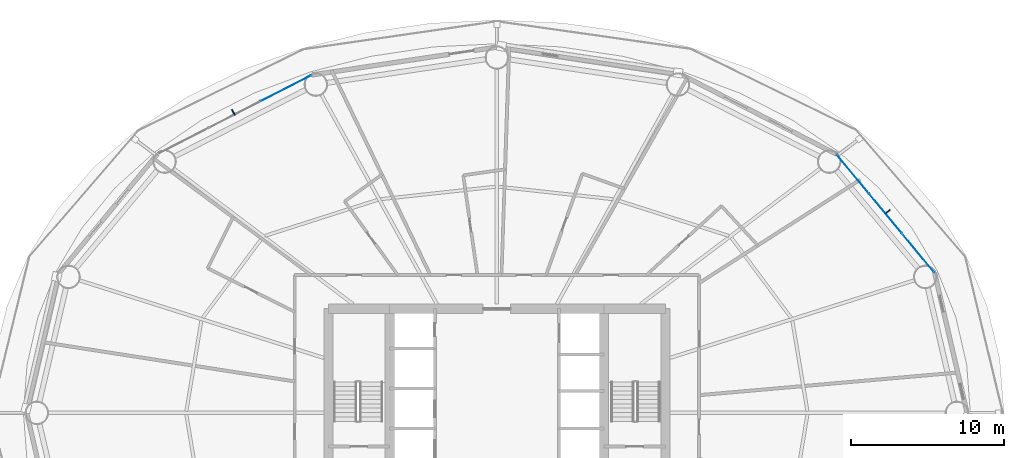
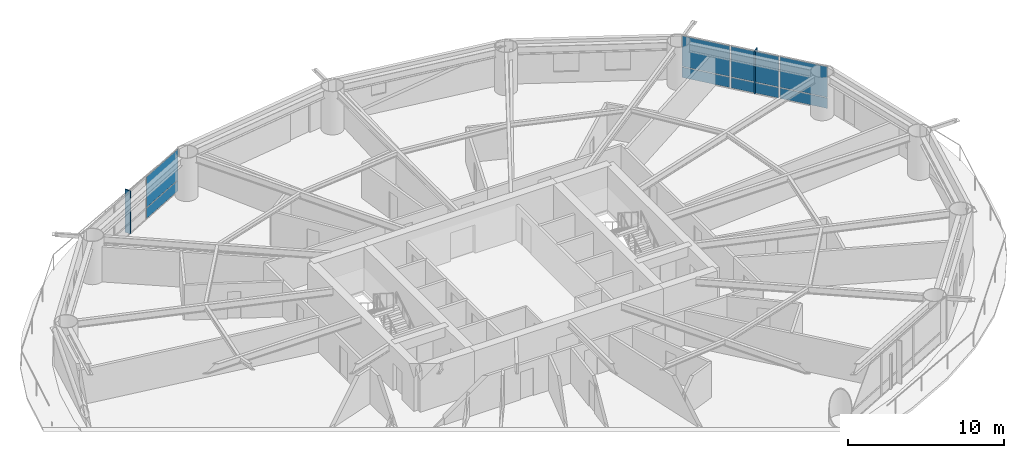
# One storey, part 18 of 26: 10 plates, 2 elements without a shape of their own.
"""IFC4 building model written with IfcOpenShell, lengths in metres."""

from ifc_helpers import new_model, si_unit, direction, frame, origin, origin_2d, place, context, subcontext, project, spatial, rectangle, extrude, material, layer, layer_set, type_object, element, aggregate, save


model = new_model("IFC4")

# Units and contexts
model_context = context("Model", 3, precision=1e-05, world=origin(), true_north=direction((0.0, 1.0)))
body_context = subcontext(model_context, "Body", "Model", "MODEL_VIEW")
ifc_project = project(units=[si_unit("LENGTHUNIT", "METRE"), si_unit("AREAUNIT", "SQUARE_METRE"), si_unit("VOLUMEUNIT", "CUBIC_METRE"), si_unit("PLANEANGLEUNIT", "RADIAN"), si_unit("MASSUNIT", "GRAM", prefix="KILO")], contexts=[model_context])

# Site, building, storey
site_placement = place(None, origin())
site = spatial("IfcSite", under=ifc_project, at=site_placement, CompositionType="ELEMENT")
building_placement = place(site_placement, origin())
building = spatial("IfcBuilding", under=site, at=building_placement, Name="Sarneth Arch Tower", CompositionType="ELEMENT")
storey_placement = place(building_placement, frame((0.0, 0.0, 35.39990234375)))
storey = spatial("IfcBuildingStorey", under=building, at=storey_placement, Name="L07", CompositionType="ELEMENT", Elevation=35.39990234375)

# Curtain wall, plates
ifc_material_1 = material(Name="Anodised aluminium Type AA25 and solar-control low-e laminated IGU", Category="aluminium")
ifc_layer_1 = layer(ifc_material_1, 0.159912109375)
ifc_layer_set_1 = layer_set([ifc_layer_1], Name="Anodised aluminium Type AA25 and solar-control low-e laminated IGU")
curtain_wall_type = type_object("IfcCurtainWallType", Name="CW-HOTEL-LOW", PredefinedType="NOTDEFINED", material=ifc_layer_set_1)
curtain_wall_1_placement = place(storey_placement, origin())
curtain_wall_1 = element("IfcCurtainWall", 1, at=curtain_wall_1_placement, inside=storey, type_object=curtain_wall_type, Name="L07 Unitised curtain wall facet 02", PredefinedType="NOTDEFINED")
ifc_material_2 = material(Name="Solar-control low-e laminated IGU", Category="glass")
ifc_layer_2 = layer(ifc_material_2, 0.028076171875)
ifc_layer_set_2 = layer_set([ifc_layer_2], Name="Solar-control low-e laminated IGU")
plate_type_1 = type_object("IfcPlateType", Name="CW-PANEL", PredefinedType="CURTAIN_PANEL", material=ifc_layer_set_2)
plate_1_placement = place(storey_placement, frame((75.503662109375, 52.441162109375, 0.06005859375), z_axis=(0.0, 0.0, 1.0), x_axis=(-0.637291340827, 0.770622960278, 0.0)))
plate_1 = element("IfcPlate", 2, at=plate_1_placement, type_object=plate_type_1, Name="Curtain wall glazed vision pane CW-L07-F02/P00-00", PredefinedType="CURTAIN_PANEL", context=body_context, shape_type="SweptSolid", body=[
    extrude(rectangle(XDim=3.260986328125, YDim=0.028076171875, at=origin_2d()), origin(), (0.0, 0.0, 1.0), 0.81005859375),
])
plate_2_placement = place(storey_placement, frame((75.503662109375, 52.441162109375, 0.93017578125), z_axis=(0.0, 0.0, 1.0), x_axis=(-0.637291340827, 0.770622960278, 0.0)))
plate_2 = element("IfcPlate", 3, at=plate_2_placement, type_object=plate_type_1, Name="Curtain wall glazed vision pane CW-L07-F02/P00-01", PredefinedType="CURTAIN_PANEL", context=body_context, shape_type="SweptSolid", body=[
    extrude(rectangle(XDim=3.260986328125, YDim=0.028076171875, at=origin_2d()), origin(), (0.0, 0.0, 1.0), 2.389892578125),
])
plate_3_placement = place(storey_placement, frame((73.37744140625, 55.01220703125, 0.06005859375), z_axis=(0.0, 0.0, 1.0), x_axis=(-0.637291340827, 0.770622960278, 0.0)))
plate_3 = element("IfcPlate", 4, at=plate_3_placement, type_object=plate_type_1, Name="Curtain wall glazed vision pane CW-L07-F02/P01-00", PredefinedType="CURTAIN_PANEL", context=body_context, shape_type="SweptSolid", body=[
    extrude(rectangle(XDim=3.291015625, YDim=0.028076171875, at=origin_2d()), origin(), (0.0, 0.0, 1.0), 0.81005859375),
])
plate_4_placement = place(storey_placement, frame((73.37744140625, 55.01220703125, 0.93017578125), z_axis=(0.0, 0.0, 1.0), x_axis=(-0.637291340827, 0.770622960278, 0.0)))
plate_4 = element("IfcPlate", 5, at=plate_4_placement, type_object=plate_type_1, Name="Curtain wall glazed vision pane CW-L07-F02/P01-01", PredefinedType="CURTAIN_PANEL", context=body_context, shape_type="SweptSolid", body=[
    extrude(rectangle(XDim=3.291015625, YDim=0.028076171875, at=origin_2d()), origin(), (0.0, 0.0, 1.0), 2.389892578125),
])
plate_5_placement = place(storey_placement, frame((71.25146484375, 57.5830078125, 0.06005859375), z_axis=(0.0, 0.0, 1.0), x_axis=(-0.637291340827, 0.770622960278, 0.0)))
plate_5 = element("IfcPlate", 6, at=plate_5_placement, type_object=plate_type_1, Name="Curtain wall glazed vision pane CW-L07-F02/P02-00", PredefinedType="CURTAIN_PANEL", context=body_context, shape_type="SweptSolid", body=[
    extrude(rectangle(XDim=3.260986328125, YDim=0.028076171875, at=origin_2d()), origin(), (0.0, 0.0, 1.0), 0.81005859375),
])
plate_6_placement = place(storey_placement, frame((71.25146484375, 57.5830078125, 0.93017578125), z_axis=(0.0, 0.0, 1.0), x_axis=(-0.637291340827, 0.770622960278, 0.0)))
plate_6 = element("IfcPlate", 7, at=plate_6_placement, type_object=plate_type_1, Name="Curtain wall glazed vision pane CW-L07-F02/P02-01", PredefinedType="CURTAIN_PANEL", context=body_context, shape_type="SweptSolid", body=[
    extrude(rectangle(XDim=3.260986328125, YDim=0.028076171875, at=origin_2d()), origin(), (0.0, 0.0, 1.0), 2.389892578125),
])
aggregate(curtain_wall_1, [plate_1, plate_2, plate_3, plate_4, plate_5, plate_6])

curtain_wall_2_placement = place(storey_placement, origin())
curtain_wall_2 = element("IfcCurtainWall", 8, at=curtain_wall_2_placement, inside=storey, type_object=curtain_wall_type, Name="L07 Unitised curtain wall facet 06", PredefinedType="NOTDEFINED")
plate_7_placement = place(storey_placement, frame((34.22607421875, 63.192626953125, 0.06005859375), z_axis=(0.0, 0.0, 1.0), x_axis=(-0.889854100456, -0.456245197127, 0.0)))
plate_7 = element("IfcPlate", 9, at=plate_7_placement, type_object=plate_type_1, Name="Curtain wall glazed vision pane CW-L07-F06/P00-00", PredefinedType="CURTAIN_PANEL", context=body_context, shape_type="SweptSolid", body=[
    extrude(rectangle(XDim=3.69189453125, YDim=0.028076171875, at=origin_2d()), origin(), (0.0, 0.0, 1.0), 0.81005859375),
])
plate_8_placement = place(storey_placement, frame((34.22607421875, 63.192626953125, 0.93017578125), z_axis=(0.0, 0.0, 1.0), x_axis=(-0.889854100456, -0.456245197127, 0.0)))
plate_8 = element("IfcPlate", 10, at=plate_8_placement, type_object=plate_type_1, Name="Curtain wall glazed vision pane CW-L07-F06/P00-01", PredefinedType="CURTAIN_PANEL", context=body_context, shape_type="SweptSolid", body=[
    extrude(rectangle(XDim=3.69189453125, YDim=0.028076171875, at=origin_2d()), origin(), (0.0, 0.0, 1.0), 2.389892578125),
])
aggregate(curtain_wall_2, [plate_7, plate_8])

# Plates
ifc_material_3 = material(Name="Extruded glazed terracotta baguette fin on Aluminium 6063-T6 carrier", Category="masonry")
ifc_layer_3 = layer(ifc_material_3, 0.080078125)
ifc_layer_set_3 = layer_set([ifc_layer_3], Name="Extruded glazed terracotta baguette fin on Aluminium 6063-T6 carrier")
plate_type_2 = type_object("IfcPlateType", Name="SHADE-TERRA-FIN", PredefinedType="SHEET", material=ifc_layer_set_3)
for number, where, z_axis, x_axis, name in (
    (11, (73.508544921875, 55.120361328125, 0.01025390625), (0.0, 0.0, 1.0), (0.770624482513, 0.637289500111, 0.0), "L07 Terracotta vertical shading fin 02"),
    (12, (30.79638671875, 61.625244140625, 0.01025390625), (0.0, 0.0, 1.0), (-0.4563215909, 0.889814927768, 0.0), "L07 Terracotta vertical shading fin 06"),
):
    element("IfcPlate", number, at=place(storey_placement, frame(where, z_axis=z_axis, x_axis=x_axis)), inside=storey, type_object=plate_type_2, Name=name, PredefinedType="SHEET", context=body_context, shape_type="SweptSolid", body=[
        extrude(rectangle(XDim=0.419921875, YDim=0.080078125, at=origin_2d()), origin(), (0.0, 0.0, 1.0), 3.360107421875),
    ])

save(model, "model.ifc")
